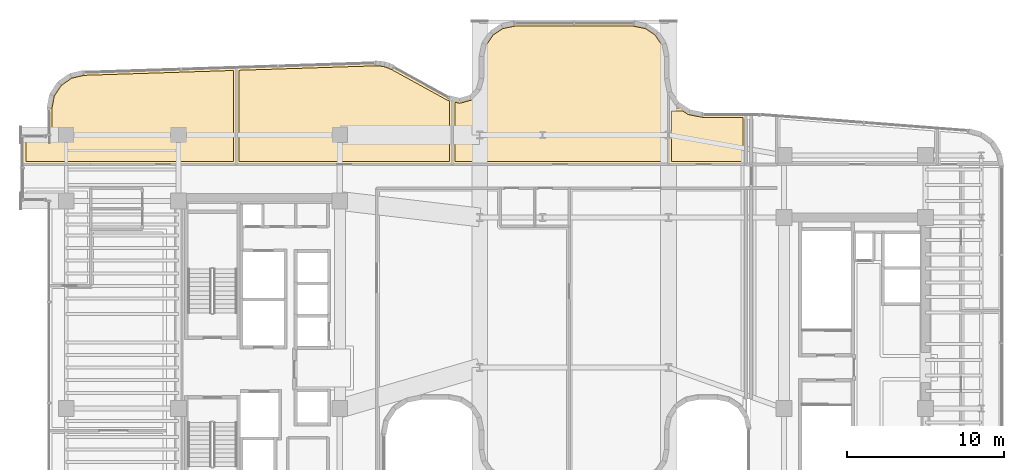
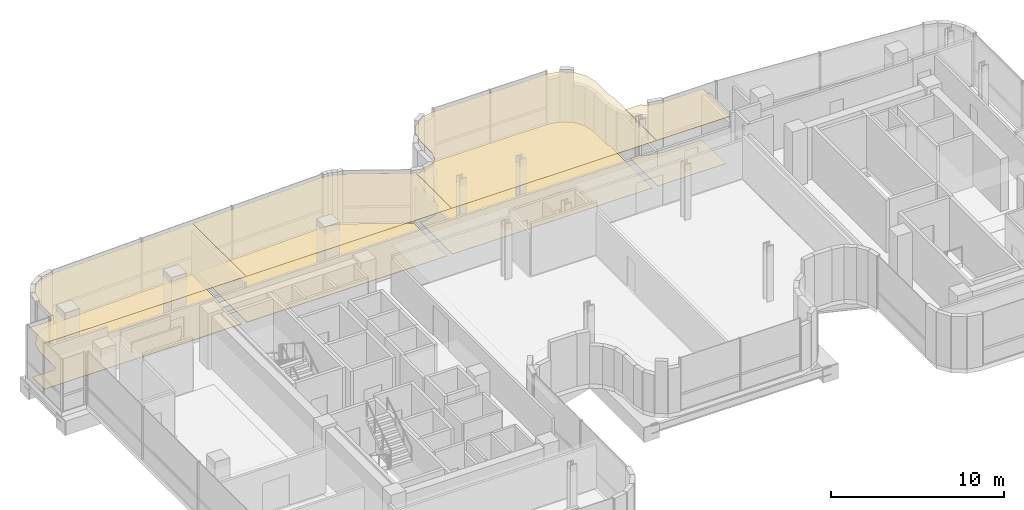
# One storey, part 35 of 35: 8 coverings.
"""IFC4 building model written with IfcOpenShell, lengths in metres."""

from ifc_helpers import new_model, si_unit, direction, frame, origin, place, context, subcontext, project, spatial, polyline, outline, extrude, material, layer, layer_set, type_object, element, save


model = new_model("IFC4")

# Units and contexts
model_context = context("Model", 3, precision=1e-05, world=origin(), true_north=direction((0.0, 1.0)))
body_context = subcontext(model_context, "Body", "Model", "MODEL_VIEW")
ifc_project = project(units=[si_unit("LENGTHUNIT", "METRE"), si_unit("AREAUNIT", "SQUARE_METRE"), si_unit("VOLUMEUNIT", "CUBIC_METRE"), si_unit("PLANEANGLEUNIT", "RADIAN"), si_unit("MASSUNIT", "GRAM", prefix="KILO")], contexts=[model_context])

# Site, building, storey
site_placement = place(None, origin())
site = spatial("IfcSite", under=ifc_project, at=site_placement, CompositionType="ELEMENT")
building_placement = place(site_placement, origin())
building = spatial("IfcBuilding", under=site, at=building_placement, Name="Valdorenza Pilgrim Sanctuary Tower", CompositionType="ELEMENT")
storey_placement = place(building_placement, frame((0.0, 0.0, 192.35009765625)))
storey = spatial("IfcBuildingStorey", under=building, at=storey_placement, Name="L49", CompositionType="ELEMENT", Elevation=192.35009765625)

# Coverings
ifc_material_1 = material(Name="Micro-perforated acoustic mineral ceiling tile", Category="gypsum")
ifc_layer_1 = layer(ifc_material_1, 0.02490234375, Name="Micro-perforated acoustic mineral ceiling tile")
ifc_layer_set_1 = layer_set([ifc_layer_1], Name="Micro-perforated acoustic mineral ceiling tile")
covering_type_1 = type_object("IfcCoveringType", Name="COV-CLG-ACU", PredefinedType="CEILING", material=ifc_layer_set_1)
covering_1_placement = place(storey_placement, frame((0.0, 0.0, 3.409912109375)))
element("IfcCovering", 1, at=covering_1_placement, inside=storey, type_object=covering_type_1, Name="L49 Private Banquet Dining Room L49-N1 Acoustic Ceiling", PredefinedType="CEILING", context=body_context, shape_type="SweptSolid", body=[
    extrude(outline(polyline([(-32.5400390625, 12.905029296875), (-32.54150390625, 12.905029296875), (-32.54296875, 12.9052734375), (-32.54443359375, 12.905517578125), (-32.545654296875, 12.906005859375), (-32.547119140625, 12.90673828125), (-32.54833984375, 12.907470703125), (-32.549560546875, 12.908447265625), (-32.550537109375, 12.909423828125), (-32.551513671875, 12.910400390625), (-32.552490234375, 12.91162109375), (-32.55322265625, 12.912841796875), (-32.553955078125, 12.914306640625), (-32.554443359375, 12.91552734375), (-32.5546875, 12.9169921875), (-32.554931640625, 12.91845703125), (-32.554931640625, 12.919921875), (-32.554931640625, 14.68994140625), (-32.554931640625, 14.69140625), (-32.5546875, 14.69287109375), (-32.554443359375, 14.6943359375), (-32.553955078125, 14.69580078125), (-32.55322265625, 14.697021484375), (-32.552490234375, 14.6982421875), (-32.551513671875, 14.699462890625), (-32.550537109375, 14.70068359375), (-32.549560546875, 14.70166015625), (-32.54833984375, 14.702392578125), (-32.547119140625, 14.703125), (-32.545654296875, 14.703857421875), (-32.54443359375, 14.704345703125), (-32.54296875, 14.70458984375), (-32.54150390625, 14.704833984375), (-32.5400390625, 14.705078125), (-31.00048828125, 14.705078125), (-30.99072265625, 14.70556640625), (-30.9814453125, 14.706787109375), (-30.972412109375, 14.708984375), (-30.963623046875, 14.712158203125), (-30.955078125, 14.71630859375), (-30.947265625, 14.720947265625), (-30.939697265625, 14.7265625), (-30.932861328125, 14.73291015625), (-30.926513671875, 14.73974609375), (-30.9208984375, 14.747314453125), (-30.916259765625, 14.755126953125), (-30.912109375, 14.763671875), (-30.9091796875, 14.7724609375), (-30.90673828125, 14.781494140625), (-30.905517578125, 14.790771484375), (-30.905029296875, 14.80029296875), (-30.905029296875, 16.46630859375), (-30.90478515625, 16.4677734375), (-30.90478515625, 16.46923828125), (-30.735595703125, 17.337890625), (-30.735107421875, 17.33935546875), (-30.734619140625, 17.3408203125), (-30.734130859375, 17.342041015625), (-30.7333984375, 17.34326171875), (-30.256591796875, 18.076416015625), (-30.255615234375, 18.077392578125), (-30.254638671875, 18.07861328125), (-30.253662109375, 18.07958984375), (-30.25244140625, 18.08056640625), (-29.535400390625, 18.580810546875), (-29.5341796875, 18.581787109375), (-29.532958984375, 18.58251953125), (-29.531494140625, 18.5830078125), (-29.5302734375, 18.583251953125), (-28.667236328125, 18.780517578125), (-28.665771484375, 18.781005859375), (-28.664306640625, 18.781005859375), (-18.993896484375, 19.095947265625), (-18.9921875, 19.095703125), (-18.99072265625, 19.095703125), (-18.9892578125, 19.09521484375), (-18.98779296875, 19.094970703125), (-18.986572265625, 19.09423828125), (-18.985107421875, 19.093505859375), (-18.98388671875, 19.092529296875), (-18.98291015625, 19.091552734375), (-18.981689453125, 19.090576171875), (-18.98095703125, 19.08935546875), (-18.97998046875, 19.088134765625), (-18.9794921875, 19.086669921875), (-18.97900390625, 19.085205078125), (-18.978515625, 19.083984375), (-18.978515625, 19.08251953125), (-18.978271484375, 19.080810546875), (-18.978271484375, 12.919921875), (-18.978515625, 12.91845703125), (-18.978515625, 12.9169921875), (-18.97900390625, 12.91552734375), (-18.9794921875, 12.914306640625), (-18.97998046875, 12.912841796875), (-18.980712890625, 12.91162109375), (-18.981689453125, 12.910400390625), (-18.982666015625, 12.909423828125), (-18.98388671875, 12.908447265625), (-18.985107421875, 12.907470703125), (-18.986083984375, 12.90673828125), (-18.987548828125, 12.906005859375), (-18.989013671875, 12.905517578125), (-18.990478515625, 12.9052734375), (-18.99169921875, 12.905029296875), (-18.993408203125, 12.905029296875), (-32.5400390625, 12.905029296875)])), origin(), (0.0, 0.0, 1.0), 0.02490234375),
])
covering_2_placement = place(storey_placement, frame((0.0, 0.0, 3.409912109375)))
element("IfcCovering", 2, at=covering_2_placement, inside=storey, type_object=covering_type_1, Name="L49 Private Banquet Dining Room L49-N2 Acoustic Ceiling", PredefinedType="CEILING", context=body_context, shape_type="SweptSolid", body=[
    extrude(outline(polyline([(-19.00634765625, 19.080810546875), (-19.00634765625, 19.081787109375), (-19.006103515625, 19.083251953125), (-19.005859375, 19.084716796875), (-19.00537109375, 19.0859375), (-19.0048828125, 19.08740234375), (-19.004150390625, 19.088623046875), (-19.00341796875, 19.090087890625), (-19.002197265625, 19.091064453125), (-19.001220703125, 19.092041015625), (-19.0, 19.093017578125), (-18.998779296875, 19.093994140625), (-18.99755859375, 19.094482421875), (-18.99609375, 19.09521484375), (-18.99462890625, 19.095458984375), (-18.993408203125, 19.095703125), (-18.99169921875, 19.095947265625), (-10.158447265625, 19.383544921875), (-10.157470703125, 19.383544921875), (-9.84765625, 19.372802734375), (-9.845703125, 19.37255859375), (-9.5439453125, 19.3212890625), (-9.5419921875, 19.32080078125), (-9.24951171875, 19.229736328125), (-9.24755859375, 19.22900390625), (-8.966552734375, 19.09814453125), (-8.9658203125, 19.097900390625), (-5.477294921875, 17.178955078125), (-5.469482421875, 17.17529296875), (-5.4619140625, 17.172119140625), (-5.453857421875, 17.169921875), (-5.2431640625, 17.117431640625), (-5.24169921875, 17.1171875), (-5.240478515625, 17.116455078125), (-5.239013671875, 17.115966796875), (-5.238037109375, 17.114990234375), (-5.23681640625, 17.1142578125), (-5.23583984375, 17.11328125), (-5.23486328125, 17.112060546875), (-5.234130859375, 17.111083984375), (-5.2333984375, 17.10986328125), (-5.23291015625, 17.1083984375), (-5.232421875, 17.107177734375), (-5.23193359375, 17.105712890625), (-5.231689453125, 17.104248046875), (-5.231689453125, 17.102783203125), (-5.231689453125, 12.919921875), (-5.231689453125, 12.91845703125), (-5.23193359375, 12.9169921875), (-5.232421875, 12.91552734375), (-5.23291015625, 12.914306640625), (-5.2333984375, 12.912841796875), (-5.234130859375, 12.91162109375), (-5.235107421875, 12.910400390625), (-5.236083984375, 12.909423828125), (-5.2373046875, 12.908447265625), (-5.23828125, 12.907470703125), (-5.239501953125, 12.90673828125), (-5.240966796875, 12.906005859375), (-5.2421875, 12.905517578125), (-5.243896484375, 12.9052734375), (-5.2451171875, 12.905029296875), (-5.24658203125, 12.905029296875), (-18.9912109375, 12.905029296875), (-18.992919921875, 12.905029296875), (-18.994140625, 12.9052734375), (-18.99560546875, 12.905517578125), (-18.9970703125, 12.906005859375), (-18.998291015625, 12.90673828125), (-18.99951171875, 12.907470703125), (-19.000732421875, 12.908447265625), (-19.001953125, 12.909423828125), (-19.0029296875, 12.910400390625), (-19.00390625, 12.91162109375), (-19.00439453125, 12.912841796875), (-19.005126953125, 12.914306640625), (-19.005615234375, 12.91552734375), (-19.006103515625, 12.9169921875), (-19.006103515625, 12.91845703125), (-19.00634765625, 12.919921875), (-19.00634765625, 19.080810546875), (-19.00634765625, 19.080810546875)])), origin(), (0.0, 0.0, 1.0), 0.02490234375),
])
covering_3_placement = place(storey_placement, frame((0.0, 0.0, 3.409912109375)))
element("IfcCovering", 3, at=covering_3_placement, inside=storey, type_object=covering_type_1, Name="L49 Private Banquet Dining Room L49-N3 Acoustic Ceiling", PredefinedType="CEILING", context=body_context, shape_type="SweptSolid", body=[
    extrude(outline(polyline([(-5.24462890625, 12.905029296875), (-5.24609375, 12.905029296875), (-5.24755859375, 12.9052734375), (-5.2490234375, 12.905517578125), (-5.25048828125, 12.906005859375), (-5.251708984375, 12.90673828125), (-5.2529296875, 12.907470703125), (-5.254150390625, 12.908447265625), (-5.25537109375, 12.909423828125), (-5.25634765625, 12.910400390625), (-5.257080078125, 12.91162109375), (-5.2578125, 12.912841796875), (-5.258544921875, 12.914306640625), (-5.259033203125, 12.91552734375), (-5.259521484375, 12.9169921875), (-5.259521484375, 12.91845703125), (-5.259765625, 12.919921875), (-5.259765625, 17.102294921875), (-5.259521484375, 17.10400390625), (-5.259521484375, 17.10546875), (-5.259033203125, 17.10693359375), (-5.258544921875, 17.1083984375), (-5.2578125, 17.109619140625), (-5.257080078125, 17.11083984375), (-5.256103515625, 17.112060546875), (-5.255126953125, 17.11328125), (-5.25390625, 17.1142578125), (-5.252685546875, 17.114990234375), (-5.25146484375, 17.11572265625), (-5.25, 17.116455078125), (-5.24853515625, 17.116943359375), (-5.2470703125, 17.1171875), (-5.24560546875, 17.117431640625), (-5.244140625, 17.117431640625), (-5.24267578125, 17.1171875), (-5.2412109375, 17.116943359375), (-4.80615234375, 17.0087890625), (-4.796142578125, 17.0068359375), (-4.786376953125, 17.006103515625), (-4.776611328125, 17.006103515625), (-4.7666015625, 17.00732421875), (-4.756591796875, 17.009765625), (-4.114501953125, 17.19091796875), (-4.104736328125, 17.194091796875), (-4.095947265625, 17.197998046875), (-4.08740234375, 17.203125), (-4.07958984375, 17.208984375), (-4.072021484375, 17.2158203125), (-3.603759765625, 17.69140625), (-3.596923828125, 17.698974609375), (-3.59130859375, 17.70703125), (-3.58642578125, 17.715576171875), (-3.58251953125, 17.724609375), (-3.579345703125, 17.734375), (-3.408203125, 18.37939453125), (-3.406494140625, 18.3876953125), (-3.405517578125, 18.395751953125), (-3.405029296875, 18.404296875), (-3.405029296875, 19.78515625), (-3.40478515625, 19.78662109375), (-3.40478515625, 19.7880859375), (-3.243408203125, 20.599365234375), (-3.242919921875, 20.600830078125), (-3.242431640625, 20.602294921875), (-3.24169921875, 20.603515625), (-3.2412109375, 20.604736328125), (-2.78759765625, 21.283447265625), (-2.786865234375, 21.28466796875), (-2.785888671875, 21.285888671875), (-2.78466796875, 21.286865234375), (-2.783447265625, 21.28759765625), (-2.104736328125, 21.7412109375), (-2.103515625, 21.74169921875), (-2.102294921875, 21.742431640625), (-2.100830078125, 21.742919921875), (-2.099365234375, 21.743408203125), (-1.2880859375, 21.90478515625), (-1.28662109375, 21.90478515625), (-1.28515625, 21.905029296875), (6.28515625, 21.905029296875), (6.28662109375, 21.90478515625), (6.2880859375, 21.90478515625), (7.099365234375, 21.743408203125), (7.100830078125, 21.742919921875), (7.102294921875, 21.742431640625), (7.103515625, 21.74169921875), (7.104736328125, 21.7412109375), (7.783447265625, 21.28759765625), (7.78466796875, 21.286865234375), (7.785888671875, 21.285888671875), (7.786865234375, 21.28466796875), (7.78759765625, 21.283447265625), (8.2412109375, 20.604736328125), (8.24169921875, 20.603515625), (8.242431640625, 20.602294921875), (8.242919921875, 20.600830078125), (8.243408203125, 20.599365234375), (8.40478515625, 19.7880859375), (8.40478515625, 19.78662109375), (8.405029296875, 19.78515625), (8.405029296875, 18.404296875), (8.405517578125, 18.394775390625), (8.406982421875, 18.385009765625), (8.5146484375, 17.84326171875), (8.514892578125, 17.841796875), (8.514892578125, 17.84033203125), (8.514892578125, 12.919921875), (8.514892578125, 12.91845703125), (8.5146484375, 12.9169921875), (8.514404296875, 12.91552734375), (8.513916015625, 12.914306640625), (8.51318359375, 12.912841796875), (8.512451171875, 12.91162109375), (8.51171875, 12.910400390625), (8.510498046875, 12.909423828125), (8.509521484375, 12.908447265625), (8.50830078125, 12.907470703125), (8.507080078125, 12.90673828125), (8.505615234375, 12.906005859375), (8.50439453125, 12.905517578125), (8.5029296875, 12.9052734375), (8.50146484375, 12.905029296875), (8.5, 12.905029296875), (-5.24462890625, 12.905029296875)])), origin(), (0.0, 0.0, 1.0), 0.02490234375),
])
covering_4_placement = place(storey_placement, frame((0.0, 0.0, 3.409912109375)))
element("IfcCovering", 4, at=covering_4_placement, inside=storey, type_object=covering_type_1, Name="L49 East Contemplation Salon L49 Acoustic Ceiling", PredefinedType="CEILING", context=body_context, shape_type="SweptSolid", body=[
    extrude(outline(polyline([(8.501953125, 12.905029296875), (8.50048828125, 12.905029296875), (8.4990234375, 12.9052734375), (8.49755859375, 12.905517578125), (8.496337890625, 12.906005859375), (8.494873046875, 12.90673828125), (8.49365234375, 12.907470703125), (8.492431640625, 12.908447265625), (8.491455078125, 12.909423828125), (8.490478515625, 12.910400390625), (8.489501953125, 12.91162109375), (8.48876953125, 12.912841796875), (8.488037109375, 12.914306640625), (8.487548828125, 12.91552734375), (8.4873046875, 12.9169921875), (8.487060546875, 12.91845703125), (8.487060546875, 12.919921875), (8.487060546875, 16.5), (8.487060546875, 16.50146484375), (8.4873046875, 16.5029296875), (8.487548828125, 16.50439453125), (8.488037109375, 16.505615234375), (8.48876953125, 16.507080078125), (8.489501953125, 16.50830078125), (8.490478515625, 16.509521484375), (8.491455078125, 16.510498046875), (8.492431640625, 16.51171875), (8.49365234375, 16.512451171875), (8.494873046875, 16.51318359375), (8.496337890625, 16.513916015625), (8.49755859375, 16.514404296875), (8.4990234375, 16.5146484375), (8.50048828125, 16.514892578125), (8.501953125, 16.514892578125), (9.464599609375, 16.514892578125), (9.466064453125, 16.514892578125), (9.467529296875, 16.5146484375), (9.468994140625, 16.514404296875), (9.470458984375, 16.513916015625), (9.4716796875, 16.51318359375), (9.472900390625, 16.512451171875), (9.8076171875, 16.2890625), (9.81591796875, 16.283935546875), (9.82421875, 16.280029296875), (9.8330078125, 16.27685546875), (9.84228515625, 16.274658203125), (10.68505859375, 16.10693359375), (10.694580078125, 16.10546875), (10.704345703125, 16.10498046875), (13.419921875, 16.10498046875), (13.42138671875, 16.10498046875), (13.4228515625, 16.104736328125), (13.42431640625, 16.1044921875), (13.42578125, 16.10400390625), (13.427001953125, 16.103271484375), (13.42822265625, 16.1025390625), (13.429443359375, 16.1015625), (13.4306640625, 16.1005859375), (13.431640625, 16.099609375), (13.4326171875, 16.098388671875), (13.43310546875, 16.09716796875), (13.433837890625, 16.095703125), (13.434326171875, 16.094482421875), (13.434814453125, 16.093017578125), (13.434814453125, 16.091552734375), (13.43505859375, 16.090087890625), (13.43505859375, 12.919921875), (13.434814453125, 12.91845703125), (13.434814453125, 12.9169921875), (13.434326171875, 12.91552734375), (13.433837890625, 12.914306640625), (13.43310546875, 12.912841796875), (13.4326171875, 12.91162109375), (13.431640625, 12.910400390625), (13.4306640625, 12.909423828125), (13.429443359375, 12.908447265625), (13.42822265625, 12.907470703125), (13.427001953125, 12.90673828125), (13.42578125, 12.906005859375), (13.42431640625, 12.905517578125), (13.4228515625, 12.9052734375), (13.42138671875, 12.905029296875), (13.419921875, 12.905029296875), (8.501953125, 12.905029296875)])), origin(), (0.0, 0.0, 1.0), 0.02490234375),
])
ifc_material_2 = material(Name="Engineered European oak timber flooring", Category="wood")
ifc_layer_2 = layer(ifc_material_2, 0.02197265625, Name="Engineered European oak timber flooring")
ifc_layer_set_2 = layer_set([ifc_layer_2], Name="Engineered European oak timber flooring")
covering_type_2 = type_object("IfcCoveringType", Name="COV-FLR-OAK", PredefinedType="FLOORING", material=ifc_layer_set_2)
covering_5_placement = place(storey_placement, origin())
element("IfcCovering", 5, at=covering_5_placement, inside=storey, type_object=covering_type_2, Name="L49 Private Banquet Dining Room L49-N1 Flooring", PredefinedType="FLOORING", context=body_context, shape_type="SweptSolid", body=[
    extrude(outline(polyline([(-32.360107421875, 13.10009765625), (-32.360107421875, 14.510009765625), (-31.0, 14.510009765625), (-30.9912109375, 14.51025390625), (-30.98046875, 14.5107421875), (-30.962890625, 14.512451171875), (-30.9521484375, 14.51416015625), (-30.934814453125, 14.517578125), (-30.92431640625, 14.52001953125), (-30.907470703125, 14.525390625), (-30.897216796875, 14.52880859375), (-30.880859375, 14.53564453125), (-30.87109375, 14.540283203125), (-30.855712890625, 14.548583984375), (-30.84619140625, 14.55419921875), (-30.831787109375, 14.56396484375), (-30.822998046875, 14.5703125), (-30.809326171875, 14.58154296875), (-30.80126953125, 14.5888671875), (-30.788818359375, 14.601318359375), (-30.781494140625, 14.609375), (-30.7705078125, 14.623046875), (-30.763916015625, 14.631591796875), (-30.754150390625, 14.646240234375), (-30.74853515625, 14.655517578125), (-30.740234375, 14.671142578125), (-30.735595703125, 14.680908203125), (-30.72900390625, 14.697265625), (-30.725341796875, 14.70751953125), (-30.72021484375, 14.724365234375), (-30.717529296875, 14.73486328125), (-30.714111328125, 14.752197265625), (-30.71240234375, 14.7626953125), (-30.710693359375, 14.780517578125), (-30.710205078125, 14.791259765625), (-30.7099609375, 14.800048828125), (-30.7099609375, 16.448974609375), (-30.55078125, 17.266357421875), (-30.112060546875, 17.940673828125), (-29.45263671875, 18.40087890625), (-28.640625, 18.586669921875), (-19.17333984375, 18.89501953125), (-19.17333984375, 13.10009765625), (-32.360107421875, 13.10009765625)])), origin(), (0.0, 0.0, 1.0), 0.02490234375),
])
covering_6_placement = place(storey_placement, origin())
element("IfcCovering", 6, at=covering_6_placement, inside=storey, type_object=covering_type_2, Name="L49 Private Banquet Dining Room L49-N2 Flooring", PredefinedType="FLOORING", context=body_context, shape_type="SweptSolid", body=[
    extrude(outline(polyline([(-18.811279296875, 13.10009765625), (-18.811279296875, 18.906494140625), (-10.158203125, 19.1884765625), (-9.866455078125, 19.17822265625), (-9.58837890625, 19.131103515625), (-9.319091796875, 19.047119140625), (-9.054443359375, 18.924072265625), (-5.571044921875, 17.008056640625), (-5.564208984375, 17.00439453125), (-5.555419921875, 17.000244140625), (-5.541259765625, 16.993896484375), (-5.532470703125, 16.990478515625), (-5.517822265625, 16.9853515625), (-5.508544921875, 16.982666015625), (-5.501220703125, 16.980712890625), (-5.4267578125, 16.962158203125), (-5.4267578125, 13.10009765625), (-18.811279296875, 13.10009765625)])), origin(), (0.0, 0.0, 1.0), 0.02490234375),
])
covering_7_placement = place(storey_placement, origin())
element("IfcCovering", 7, at=covering_7_placement, inside=storey, type_object=covering_type_2, Name="L49 Private Banquet Dining Room L49-N3 Flooring", PredefinedType="FLOORING", context=body_context, shape_type="SweptSolid", body=[
    extrude(outline(polyline([(-5.064697265625, 13.10009765625), (-5.064697265625, 16.872314453125), (-4.852783203125, 16.819580078125), (-4.84375, 16.8173828125), (-4.83251953125, 16.8154296875), (-4.814208984375, 16.812744140625), (-4.802734375, 16.811767578125), (-4.7841796875, 16.81103515625), (-4.772705078125, 16.811279296875), (-4.754150390625, 16.8125), (-4.74267578125, 16.81396484375), (-4.724365234375, 16.817138671875), (-4.713134765625, 16.819580078125), (-4.7041015625, 16.822021484375), (-4.061279296875, 17.003173828125), (-4.05224609375, 17.005859375), (-4.04150390625, 17.009521484375), (-4.024169921875, 17.0166015625), (-4.013916015625, 17.021240234375), (-3.997314453125, 17.02978515625), (-3.987548828125, 17.03564453125), (-3.971923828125, 17.0458984375), (-3.962890625, 17.052734375), (-3.948486328125, 17.064697265625), (-3.93994140625, 17.072509765625), (-3.933349609375, 17.078857421875), (-3.464599609375, 17.5546875), (-3.458251953125, 17.5615234375), (-3.45068359375, 17.5703125), (-3.43896484375, 17.584716796875), (-3.432373046875, 17.593994140625), (-3.42236328125, 17.609619140625), (-3.41650390625, 17.61962890625), (-3.408203125, 17.63623046875), (-3.403564453125, 17.646728515625), (-3.39697265625, 17.664306640625), (-3.3935546875, 17.675048828125), (-3.390869140625, 17.68408203125), (-3.2197265625, 18.32958984375), (-3.218017578125, 18.337158203125), (-3.2158203125, 18.346435546875), (-3.213134765625, 18.36181640625), (-3.2119140625, 18.37109375), (-3.210693359375, 18.38671875), (-3.210205078125, 18.396240234375), (-3.2099609375, 18.404052734375), (-3.2099609375, 19.767333984375), (-3.05908203125, 20.5263671875), (-2.6455078125, 21.1455078125), (-2.0263671875, 21.55908203125), (-1.267333984375, 21.7099609375), (6.267333984375, 21.7099609375), (7.0263671875, 21.55908203125), (7.6455078125, 21.1455078125), (8.05908203125, 20.5263671875), (8.2099609375, 19.767333984375), (8.2099609375, 18.404052734375), (8.210205078125, 18.395263671875), (8.210693359375, 18.384521484375), (8.21240234375, 18.36669921875), (8.214111328125, 18.356201171875), (8.215576171875, 18.347412109375), (8.320068359375, 17.822509765625), (8.320068359375, 13.10009765625), (-5.064697265625, 13.10009765625)])), origin(), (0.0, 0.0, 1.0), 0.02490234375),
])
ifc_material_3 = material(Name="Honed travertine stone flooring", Category="masonry")
ifc_layer_3 = layer(ifc_material_3, 0.030029296875, Name="Honed travertine stone flooring")
ifc_layer_set_3 = layer_set([ifc_layer_3], Name="Honed travertine stone flooring")
covering_type_3 = type_object("IfcCoveringType", Name="COV-FLR-TRV", PredefinedType="FLOORING", material=ifc_layer_set_3)
covering_8_placement = place(storey_placement, origin())
element("IfcCovering", 8, at=covering_8_placement, inside=storey, type_object=covering_type_3, Name="L49 East Contemplation Salon L49 Flooring", PredefinedType="FLOORING", context=body_context, shape_type="SweptSolid", body=[
    extrude(outline(polyline([(8.681884765625, 13.10009765625), (8.681884765625, 16.320068359375), (9.41015625, 16.320068359375), (9.699462890625, 16.126708984375), (9.70703125, 16.121826171875), (9.71630859375, 16.116455078125), (9.731689453125, 16.108154296875), (9.74169921875, 16.103515625), (9.7578125, 16.0966796875), (9.76806640625, 16.093017578125), (9.784912109375, 16.087890625), (9.79541015625, 16.085205078125), (9.803955078125, 16.08349609375), (10.6474609375, 15.91552734375), (10.656005859375, 15.9140625), (10.666748046875, 15.91259765625), (10.684326171875, 15.91064453125), (10.6953125, 15.91015625), (10.7041015625, 15.909912109375), (13.239990234375, 15.909912109375), (13.239990234375, 13.10009765625), (8.681884765625, 13.10009765625)])), origin(), (0.0, 0.0, 1.0), 0.02490234375),
])

save(model, "model.ifc")
